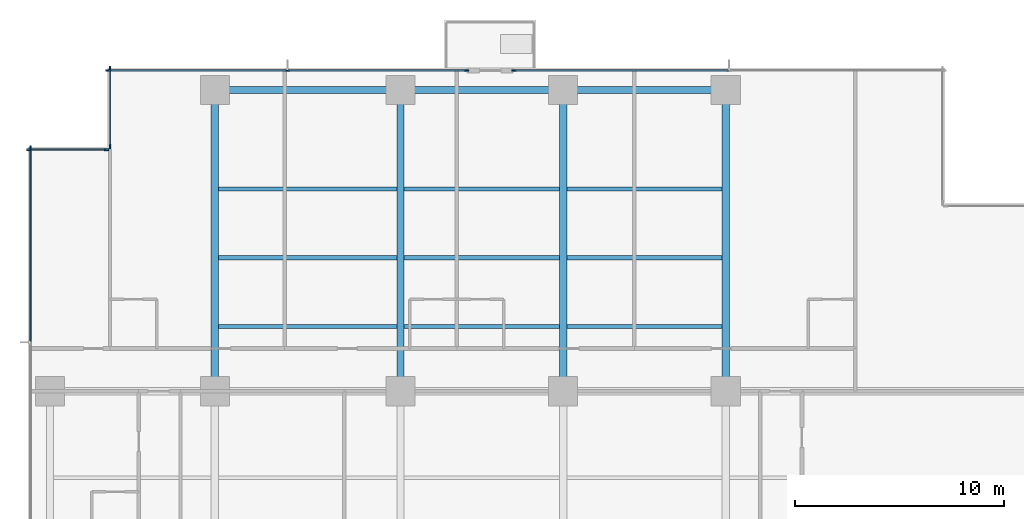
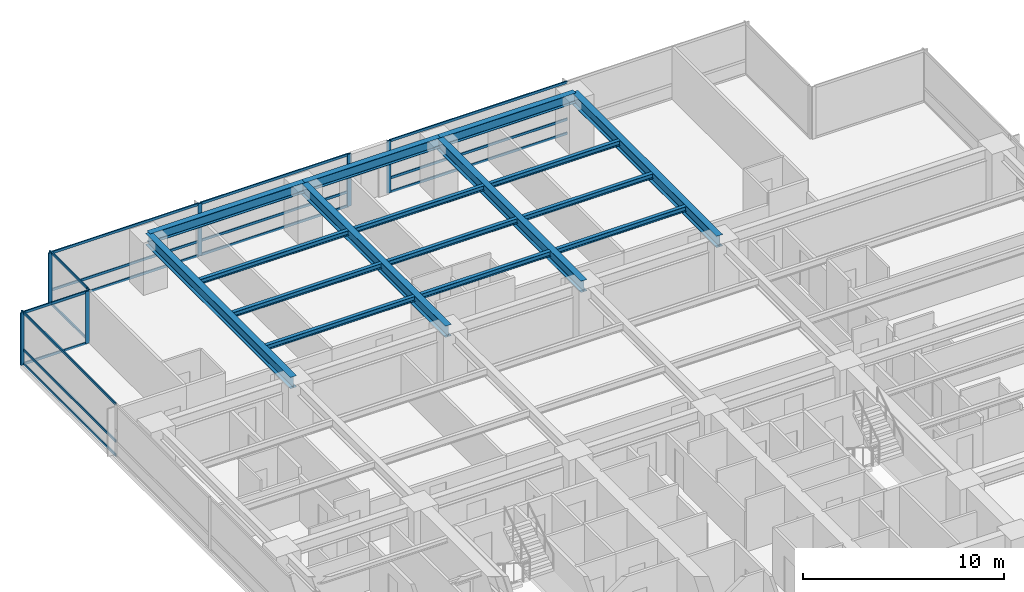
# One storey, part 4 of 16: 25 members, 16 beams, 5 elements without a shape of their own.
"""IFC4 building model written with IfcOpenShell, lengths in metres."""

from ifc_helpers import new_model, si_unit, direction, frame, origin, origin_2d, place, context, subcontext, project, spatial, rectangle, i_section, extrude, material, layer, layer_set, material_profile, profile_set, type_object, element, aggregate, save


model = new_model("IFC4")

# Units and contexts
model_context = context("Model", 3, precision=1e-05, world=origin(), true_north=direction((0.0, 1.0)))
body_context = subcontext(model_context, "Body", "Model", "MODEL_VIEW")
ifc_project = project(units=[si_unit("LENGTHUNIT", "METRE"), si_unit("AREAUNIT", "SQUARE_METRE"), si_unit("VOLUMEUNIT", "CUBIC_METRE"), si_unit("PLANEANGLEUNIT", "RADIAN"), si_unit("MASSUNIT", "GRAM", prefix="KILO")], contexts=[model_context])

# Site, building, storey
site_placement = place(None, origin())
site = spatial("IfcSite", under=ifc_project, at=site_placement, CompositionType="ELEMENT")
building_placement = place(site_placement, origin())
building = spatial("IfcBuilding", under=site, at=building_placement, Name="Qalmaran Belvedere Hotel", CompositionType="ELEMENT")
storey_placement = place(building_placement, frame((0.0, 0.0, 71.89990234375)))
storey = spatial("IfcBuildingStorey", under=building, at=storey_placement, Name="L18", CompositionType="ELEMENT", Elevation=71.89990234375)

# Beams
ifc_material_1 = material(Name="Steel S355JR", Category="steel")
ifc_material_profile_1 = material_profile(ifc_material_1, i_section(OverallWidth=0.202880859375, OverallDepth=0.302978515625, WebThickness=0.007568359375, FlangeThickness=0.01318359375, FilletRadius=0.012939453125, at=origin_2d()), Name="W310X60")
ifc_profile_set_1 = profile_set([ifc_material_profile_1], Name="Steel S355JR")
beam_type_1 = type_object("IfcBeamType", Name="BM-JST-W310X60", PredefinedType="JOIST", material=ifc_profile_set_1)
beam_1_placement = place(storey_placement, frame((20.4755859375, 36.10009765625, 3.028564453125), z_axis=(1.0, 0.0, 0.0), x_axis=(0.0, 1.0, 0.0)))
element("IfcBeam", 1, at=beam_1_placement, inside=storey, type_object=beam_type_1, Name="L18 North Floor Joist 042", PredefinedType="JOIST", context=body_context, shape_type="SweptSolid", body=[
    extrude(i_section(OverallWidth=0.202880859375, OverallDepth=0.302978515625, WebThickness=0.007568359375, FlangeThickness=0.01318359375, FilletRadius=0.012939453125, at=origin_2d()), origin(), (0.0, 0.0, 1.0), 8.548828125),
])
for number, where, z_axis, x_axis, name in (
    (2, (29.37548828125, 36.10009765625, 3.028564453125), (1.0, 0.0, 0.0), (0.0, 1.0, 0.0), "L18 North Floor Joist 043"),
    (3, (37.175537109375, 36.10009765625, 3.028564453125), (1.0, 0.0, 0.0), (0.0, 1.0, 0.0), "L18 North Floor Joist 044"),
):
    element("IfcBeam", number, at=place(storey_placement, frame(where, z_axis=z_axis, x_axis=x_axis)), inside=storey, type_object=beam_type_1, Name=name, PredefinedType="JOIST", context=body_context, shape_type="SweptSolid", body=[
        extrude(i_section(OverallWidth=0.202880859375, OverallDepth=0.302978515625, WebThickness=0.007568359375, FlangeThickness=0.01318359375, FilletRadius=0.012939453125, at=origin_2d()), origin(), (0.0, 0.0, 1.0), 7.448974609375),
    ])
beam_2_placement = place(storey_placement, frame((20.4755859375, 39.39990234375, 3.028564453125), z_axis=(1.0, 0.0, 0.0), x_axis=(0.0, 1.0, 0.0)))
element("IfcBeam", 4, at=beam_2_placement, inside=storey, type_object=beam_type_1, Name="L18 North Floor Joist 045", PredefinedType="JOIST", context=body_context, shape_type="SweptSolid", body=[
    extrude(i_section(OverallWidth=0.202880859375, OverallDepth=0.302978515625, WebThickness=0.007568359375, FlangeThickness=0.01318359375, FilletRadius=0.012939453125, at=origin_2d()), origin(), (0.0, 0.0, 1.0), 8.548828125),
])
for number, where, z_axis, x_axis, name in (
    (5, (29.37548828125, 39.39990234375, 3.028564453125), (1.0, 0.0, 0.0), (0.0, 1.0, 0.0), "L18 North Floor Joist 046"),
    (6, (37.175537109375, 39.39990234375, 3.028564453125), (1.0, 0.0, 0.0), (0.0, 1.0, 0.0), "L18 North Floor Joist 047"),
):
    element("IfcBeam", number, at=place(storey_placement, frame(where, z_axis=z_axis, x_axis=x_axis)), inside=storey, type_object=beam_type_1, Name=name, PredefinedType="JOIST", context=body_context, shape_type="SweptSolid", body=[
        extrude(i_section(OverallWidth=0.202880859375, OverallDepth=0.302978515625, WebThickness=0.007568359375, FlangeThickness=0.01318359375, FilletRadius=0.012939453125, at=origin_2d()), origin(), (0.0, 0.0, 1.0), 7.448974609375),
    ])
beam_3_placement = place(storey_placement, frame((20.4755859375, 42.699951171875, 3.028564453125), z_axis=(1.0, 0.0, 0.0), x_axis=(0.0, 1.0, 0.0)))
element("IfcBeam", 7, at=beam_3_placement, inside=storey, type_object=beam_type_1, Name="L18 North Floor Joist 048", PredefinedType="JOIST", context=body_context, shape_type="SweptSolid", body=[
    extrude(i_section(OverallWidth=0.202880859375, OverallDepth=0.302978515625, WebThickness=0.007568359375, FlangeThickness=0.01318359375, FilletRadius=0.012939453125, at=origin_2d()), origin(), (0.0, 0.0, 1.0), 8.548828125),
])
for number, where, z_axis, x_axis, name in (
    (8, (29.37548828125, 42.699951171875, 3.028564453125), (1.0, 0.0, 0.0), (0.0, 1.0, 0.0), "L18 North Floor Joist 049"),
    (9, (37.175537109375, 42.699951171875, 3.028564453125), (1.0, 0.0, 0.0), (0.0, 1.0, 0.0), "L18 North Floor Joist 050"),
):
    element("IfcBeam", number, at=place(storey_placement, frame(where, z_axis=z_axis, x_axis=x_axis)), inside=storey, type_object=beam_type_1, Name=name, PredefinedType="JOIST", context=body_context, shape_type="SweptSolid", body=[
        extrude(i_section(OverallWidth=0.202880859375, OverallDepth=0.302978515625, WebThickness=0.007568359375, FlangeThickness=0.01318359375, FilletRadius=0.012939453125, at=origin_2d()), origin(), (0.0, 0.0, 1.0), 7.448974609375),
    ])
ifc_material_profile_2 = material_profile(ifc_material_1, i_section(OverallWidth=0.326904296875, OverallDepth=0.6220703125, WebThickness=0.015380859375, FlangeThickness=0.0244140625, FilletRadius=0.02001953125, at=origin_2d()), Name="W610X195")
ifc_profile_set_2 = profile_set([ifc_material_profile_2], Name="Steel S355JR")
beam_type_2 = type_object("IfcBeamType", Name="BM-SP1-W610X195", PredefinedType="SPANDREL", material=ifc_profile_set_2)
beam_4_placement = place(storey_placement, frame((20.300048828125, 47.449951171875, 2.869140625), z_axis=(1.0, 0.0, 0.0), x_axis=(0.0, 1.0, 0.0)))
element("IfcBeam", 10, at=beam_4_placement, inside=storey, type_object=beam_type_2, Name="L18 Perimeter Spandrel 05", PredefinedType="SPANDREL", context=body_context, shape_type="SweptSolid", body=[
    extrude(i_section(OverallWidth=0.326904296875, OverallDepth=0.6220703125, WebThickness=0.015380859375, FlangeThickness=0.0244140625, FilletRadius=0.02001953125, at=origin_2d()), origin(), (0.0, 0.0, 1.0), 8.89990234375),
])
for number, where, z_axis, x_axis, name in (
    (11, (29.199951171875, 47.449951171875, 2.869140625), (1.0, 0.0, 0.0), (0.0, 1.0, 0.0), "L18 Perimeter Spandrel 06"),
    (12, (37.0, 47.449951171875, 2.869140625), (1.0, 0.0, 0.0), (0.0, 1.0, 0.0), "L18 Perimeter Spandrel 07"),
):
    element("IfcBeam", number, at=place(storey_placement, frame(where, z_axis=z_axis, x_axis=x_axis)), inside=storey, type_object=beam_type_2, Name=name, PredefinedType="SPANDREL", context=body_context, shape_type="SweptSolid", body=[
        extrude(i_section(OverallWidth=0.326904296875, OverallDepth=0.6220703125, WebThickness=0.015380859375, FlangeThickness=0.0244140625, FilletRadius=0.02001953125, at=origin_2d()), origin(), (0.0, 0.0, 1.0), 7.800048828125),
    ])
ifc_material_profile_3 = material_profile(ifc_material_1, i_section(OverallWidth=0.35498046875, OverallDepth=0.695068359375, WebThickness=0.015380859375, FlangeThickness=0.02490234375, FilletRadius=0.02197265625, at=origin_2d()), Name="W690X217")
ifc_profile_set_3 = profile_set([ifc_material_profile_3], Name="Steel S355JR")
beam_type_3 = type_object("IfcBeamType", Name="BM-Z1-W690X217", PredefinedType="USERDEFINED", material=ifc_profile_set_3)
for number, where, z_axis, x_axis, name in (
    (13, (20.300048828125, 33.0, 2.83251953125), (0.0, 1.0, 0.0), (-1.0, 0.0, 0.0), "L18 North Bay Girder 15"),
    (14, (29.199951171875, 33.0, 2.83251953125), (0.0, 1.0, 0.0), (-1.0, 0.0, 0.0), "L18 North Bay Girder 17"),
    (15, (37.0, 33.0, 2.83251953125), (0.0, 1.0, 0.0), (-1.0, 0.0, 0.0), "L18 North Bay Girder 19"),
    (16, (44.800048828125, 33.0, 2.83251953125), (0.0, 1.0, 0.0), (-1.0, 0.0, 0.0), "L18 North Bay Girder 21"),
):
    element("IfcBeam", number, at=place(storey_placement, frame(where, z_axis=z_axis, x_axis=x_axis)), inside=storey, type_object=beam_type_3, Name=name, ObjectType="GIRDER", PredefinedType="USERDEFINED", context=body_context, shape_type="SweptSolid", body=[
        extrude(i_section(OverallWidth=0.35498046875, OverallDepth=0.695068359375, WebThickness=0.015380859375, FlangeThickness=0.02490234375, FilletRadius=0.02197265625, at=origin_2d()), origin(), (0.0, 0.0, 1.0), 14.449951171875),
    ])

# Curtain wall, members
ifc_material_2 = material(Name="Anodised Bronze Aluminium", Category="aluminium")
ifc_layer = layer(ifc_material_2, 0.2099609375, Name="Anodised Bronze Aluminium")
ifc_layer_set = layer_set([ifc_layer], Name="Anodised Bronze Aluminium")
curtain_wall_type = type_object("IfcCurtainWallType", Name="CW2-TOWER-LOWER", PredefinedType="NOTDEFINED", material=ifc_layer_set)
curtain_wall_1_placement = place(storey_placement, origin())
curtain_wall_1 = element("IfcCurtainWall", 17, at=curtain_wall_1_placement, inside=storey, type_object=curtain_wall_type, Name="L18 Curtain Wall CW2", PredefinedType="NOTDEFINED")
ifc_material_profile_4 = material_profile(ifc_material_2, rectangle(XDim=0.074951171875, YDim=0.219970703125, at=origin_2d()), Name="CWM75X220")
ifc_profile_set_4 = profile_set([ifc_material_profile_4], Name="Anodised Bronze Aluminium")
member_type_1 = type_object("IfcMemberType", Name="CWM-75X220", PredefinedType="MULLION", material=ifc_profile_set_4)
member_1_placement = place(storey_placement, frame((32.362548828125, 48.3798828125, 0.0), z_axis=(0.0, 0.0, 1.0), x_axis=(0.0, -1.0, 0.0)))
member_1 = element("IfcMember", 18, at=member_1_placement, type_object=member_type_1, Name="CW2 mullion 1", PredefinedType="MULLION", context=body_context, shape_type="SweptSolid", body=[
    extrude(rectangle(XDim=0.074951171875, YDim=0.219970703125, at=origin_2d()), origin(), (0.0, 0.0, 1.0), 3.18017578125),
])
member_2_placement = place(storey_placement, frame((23.77490234375, 48.3798828125, 0.0), z_axis=(0.0, 0.0, 1.0), x_axis=(0.0, -1.0, 0.0)))
member_2 = element("IfcMember", 19, at=member_2_placement, type_object=member_type_1, Name="CW2 mullion 2", PredefinedType="MULLION", context=body_context, shape_type="SweptSolid", body=[
    extrude(rectangle(XDim=0.074951171875, YDim=0.219970703125, at=origin_2d()), origin(), (0.0, 0.0, 1.0), 3.18017578125),
])
member_3_placement = place(storey_placement, frame((15.1875, 48.3798828125, 0.0), z_axis=(0.0, 0.0, 1.0), x_axis=(0.0, -1.0, 0.0)))
member_3 = element("IfcMember", 20, at=member_3_placement, type_object=member_type_1, Name="CW2 mullion 3", PredefinedType="MULLION", context=body_context, shape_type="SweptSolid", body=[
    extrude(rectangle(XDim=0.074951171875, YDim=0.219970703125, at=origin_2d()), origin(), (0.0, 0.0, 1.0), 3.18017578125),
])

# Curtain wall, member
curtain_wall_2_placement = place(storey_placement, origin())
curtain_wall_2 = element("IfcCurtainWall", 21, at=curtain_wall_2_placement, inside=storey, type_object=curtain_wall_type, Name="L18 Curtain Wall CW2", PredefinedType="NOTDEFINED")
member_4_placement = place(storey_placement, frame((34.637451171875, 48.3798828125, 0.0), z_axis=(0.0, 0.0, 1.0), x_axis=(0.0, -1.0, 0.0)))
member_4 = element("IfcMember", 22, at=member_4_placement, type_object=member_type_1, Name="CW2 mullion 3", PredefinedType="MULLION", context=body_context, shape_type="SweptSolid", body=[
    extrude(rectangle(XDim=0.074951171875, YDim=0.219970703125, at=origin_2d()), origin(), (0.0, 0.0, 1.0), 3.18017578125),
])

# Curtain wall, members
curtain_wall_3_placement = place(storey_placement, origin())
curtain_wall_3 = element("IfcCurtainWall", 23, at=curtain_wall_3_placement, inside=storey, type_object=curtain_wall_type, Name="L18 Curtain Wall CW2", PredefinedType="NOTDEFINED")
member_5_placement = place(storey_placement, frame((15.27001953125, 48.46240234375, 0.0), z_axis=(0.0, 0.0, 1.0), x_axis=(1.0, 0.0, 0.0)))
member_5 = element("IfcMember", 24, at=member_5_placement, type_object=member_type_1, Name="CW2 mullion 1", PredefinedType="MULLION", context=body_context, shape_type="SweptSolid", body=[
    extrude(rectangle(XDim=0.074951171875, YDim=0.219970703125, at=origin_2d()), origin(), (0.0, 0.0, 1.0), 3.18017578125),
])
member_6_placement = place(storey_placement, frame((15.27001953125, 44.737548828125, 0.0), z_axis=(0.0, 0.0, 1.0), x_axis=(1.0, 0.0, 0.0)))
member_6 = element("IfcMember", 25, at=member_6_placement, type_object=member_type_1, Name="CW2 mullion 2", PredefinedType="MULLION", context=body_context, shape_type="SweptSolid", body=[
    extrude(rectangle(XDim=0.074951171875, YDim=0.219970703125, at=origin_2d()), origin(), (0.0, 0.0, 1.0), 3.18017578125),
])

curtain_wall_4_placement = place(storey_placement, origin())
curtain_wall_4 = element("IfcCurtainWall", 26, at=curtain_wall_4_placement, inside=storey, type_object=curtain_wall_type, Name="L18 Curtain Wall CW2", PredefinedType="NOTDEFINED")
member_7_placement = place(storey_placement, frame((15.112548828125, 44.580078125, 0.0), z_axis=(0.0, 0.0, 1.0), x_axis=(0.0, -1.0, 0.0)))
member_7 = element("IfcMember", 27, at=member_7_placement, type_object=member_type_1, Name="CW2 mullion 1", PredefinedType="MULLION", context=body_context, shape_type="SweptSolid", body=[
    extrude(rectangle(XDim=0.074951171875, YDim=0.219970703125, at=origin_2d()), origin(), (0.0, 0.0, 1.0), 3.18017578125),
])
member_8_placement = place(storey_placement, frame((11.387451171875, 44.580078125, 0.0), z_axis=(0.0, 0.0, 1.0), x_axis=(0.0, -1.0, 0.0)))
member_8 = element("IfcMember", 28, at=member_8_placement, type_object=member_type_1, Name="CW2 mullion 2", PredefinedType="MULLION", context=body_context, shape_type="SweptSolid", body=[
    extrude(rectangle(XDim=0.074951171875, YDim=0.219970703125, at=origin_2d()), origin(), (0.0, 0.0, 1.0), 3.18017578125),
])

# Curtain wall, member
curtain_wall_5_placement = place(storey_placement, origin())
curtain_wall_5 = element("IfcCurtainWall", 29, at=curtain_wall_5_placement, inside=storey, type_object=curtain_wall_type, Name="L18 Curtain Wall CW2", PredefinedType="NOTDEFINED")
member_9_placement = place(storey_placement, frame((11.469970703125, 44.66259765625, 0.0), z_axis=(0.0, 0.0, 1.0), x_axis=(1.0, 0.0, 0.0)))
member_9 = element("IfcMember", 30, at=member_9_placement, type_object=member_type_1, Name="CW2 mullion 1", PredefinedType="MULLION", context=body_context, shape_type="SweptSolid", body=[
    extrude(rectangle(XDim=0.074951171875, YDim=0.219970703125, at=origin_2d()), origin(), (0.0, 0.0, 1.0), 3.18017578125),
])

# Member
ifc_material_profile_5 = material_profile(ifc_material_2, rectangle(XDim=0.070068359375, YDim=0.14990234375, at=origin_2d()), Name="CWT70X150")
ifc_profile_set_5 = profile_set([ifc_material_profile_5], Name="Anodised Bronze Aluminium")
member_type_2 = type_object("IfcMemberType", Name="CWT-70X150", PredefinedType="USERDEFINED", material=ifc_profile_set_5)
member_10_placement = place(storey_placement, frame((32.324951171875, 48.3798828125, 0.03515625), z_axis=(-1.0, 0.0, 0.0), x_axis=(0.0, -1.0, 0.0)))
member_10 = element("IfcMember", 31, at=member_10_placement, type_object=member_type_2, Name="CW2 transom 1.1", ObjectType="TRANSOM", PredefinedType="USERDEFINED", context=body_context, shape_type="SweptSolid", body=[
    extrude(rectangle(XDim=0.070068359375, YDim=0.14990234375, at=origin_2d()), origin(), (0.0, 0.0, 1.0), 8.512451171875),
])

member_11_placement = place(storey_placement, frame((32.324951171875, 48.3798828125, 0.890380859375), z_axis=(-1.0, 0.0, 0.0), x_axis=(0.0, -1.0, 0.0)))
member_11 = element("IfcMember", 32, at=member_11_placement, type_object=member_type_2, Name="CW2 transom 1.2", ObjectType="TRANSOM", PredefinedType="USERDEFINED", context=body_context, shape_type="SweptSolid", body=[
    extrude(rectangle(XDim=0.070068359375, YDim=0.14990234375, at=origin_2d()), origin(), (0.0, 0.0, 1.0), 8.512451171875),
])

member_12_placement = place(storey_placement, frame((32.324951171875, 48.3798828125, 3.14501953125), z_axis=(-1.0, 0.0, 0.0), x_axis=(0.0, -1.0, 0.0)))
member_12 = element("IfcMember", 33, at=member_12_placement, type_object=member_type_2, Name="CW2 transom 1.3", ObjectType="TRANSOM", PredefinedType="USERDEFINED", context=body_context, shape_type="SweptSolid", body=[
    extrude(rectangle(XDim=0.070068359375, YDim=0.14990234375, at=origin_2d()), origin(), (0.0, 0.0, 1.0), 8.512451171875),
])

member_13_placement = place(storey_placement, frame((23.737548828125, 48.3798828125, 0.03515625), z_axis=(-1.0, 0.0, 0.0), x_axis=(0.0, -1.0, 0.0)))
member_13 = element("IfcMember", 34, at=member_13_placement, type_object=member_type_2, Name="CW2 transom 2.1", ObjectType="TRANSOM", PredefinedType="USERDEFINED", context=body_context, shape_type="SweptSolid", body=[
    extrude(rectangle(XDim=0.070068359375, YDim=0.14990234375, at=origin_2d()), origin(), (0.0, 0.0, 1.0), 8.512451171875),
])

member_14_placement = place(storey_placement, frame((23.737548828125, 48.3798828125, 0.890380859375), z_axis=(-1.0, 0.0, 0.0), x_axis=(0.0, -1.0, 0.0)))
member_14 = element("IfcMember", 35, at=member_14_placement, type_object=member_type_2, Name="CW2 transom 2.2", ObjectType="TRANSOM", PredefinedType="USERDEFINED", context=body_context, shape_type="SweptSolid", body=[
    extrude(rectangle(XDim=0.070068359375, YDim=0.14990234375, at=origin_2d()), origin(), (0.0, 0.0, 1.0), 8.512451171875),
])

member_15_placement = place(storey_placement, frame((23.737548828125, 48.3798828125, 3.14501953125), z_axis=(-1.0, 0.0, 0.0), x_axis=(0.0, -1.0, 0.0)))
member_15 = element("IfcMember", 36, at=member_15_placement, type_object=member_type_2, Name="CW2 transom 2.3", ObjectType="TRANSOM", PredefinedType="USERDEFINED", context=body_context, shape_type="SweptSolid", body=[
    extrude(rectangle(XDim=0.070068359375, YDim=0.14990234375, at=origin_2d()), origin(), (0.0, 0.0, 1.0), 8.512451171875),
])

aggregate(curtain_wall_1, [member_1, member_2, member_3, member_10, member_11, member_12, member_13, member_14, member_15])

member_16_placement = place(storey_placement, frame((44.91259765625, 48.3798828125, 0.03515625), z_axis=(-1.0, 0.0, 0.0), x_axis=(0.0, -1.0, 0.0)))
member_16 = element("IfcMember", 37, at=member_16_placement, type_object=member_type_2, Name="CW2 transom 2.1", ObjectType="TRANSOM", PredefinedType="USERDEFINED", context=body_context, shape_type="SweptSolid", body=[
    extrude(rectangle(XDim=0.070068359375, YDim=0.14990234375, at=origin_2d()), origin(), (0.0, 0.0, 1.0), 10.237548828125),
])

member_17_placement = place(storey_placement, frame((44.91259765625, 48.3798828125, 0.890380859375), z_axis=(-1.0, 0.0, 0.0), x_axis=(0.0, -1.0, 0.0)))
member_17 = element("IfcMember", 38, at=member_17_placement, type_object=member_type_2, Name="CW2 transom 2.2", ObjectType="TRANSOM", PredefinedType="USERDEFINED", context=body_context, shape_type="SweptSolid", body=[
    extrude(rectangle(XDim=0.070068359375, YDim=0.14990234375, at=origin_2d()), origin(), (0.0, 0.0, 1.0), 10.237548828125),
])

member_18_placement = place(storey_placement, frame((44.91259765625, 48.3798828125, 3.14501953125), z_axis=(-1.0, 0.0, 0.0), x_axis=(0.0, -1.0, 0.0)))
member_18 = element("IfcMember", 39, at=member_18_placement, type_object=member_type_2, Name="CW2 transom 2.3", ObjectType="TRANSOM", PredefinedType="USERDEFINED", context=body_context, shape_type="SweptSolid", body=[
    extrude(rectangle(XDim=0.070068359375, YDim=0.14990234375, at=origin_2d()), origin(), (0.0, 0.0, 1.0), 10.237548828125),
])

aggregate(curtain_wall_2, [member_4, member_16, member_17, member_18])

member_19_placement = place(storey_placement, frame((15.27001953125, 48.425048828125, 0.03515625), z_axis=(0.0, -1.0, 0.0), x_axis=(1.0, 0.0, 0.0)))
member_19 = element("IfcMember", 40, at=member_19_placement, type_object=member_type_2, Name="CW2 transom 1.1", ObjectType="TRANSOM", PredefinedType="USERDEFINED", context=body_context, shape_type="SweptSolid", body=[
    extrude(rectangle(XDim=0.070068359375, YDim=0.14990234375, at=origin_2d()), origin(), (0.0, 0.0, 1.0), 3.650146484375),
])

member_20_placement = place(storey_placement, frame((15.27001953125, 48.425048828125, 3.14501953125), z_axis=(0.0, -1.0, 0.0), x_axis=(1.0, 0.0, 0.0)))
member_20 = element("IfcMember", 41, at=member_20_placement, type_object=member_type_2, Name="CW2 transom 1.2", ObjectType="TRANSOM", PredefinedType="USERDEFINED", context=body_context, shape_type="SweptSolid", body=[
    extrude(rectangle(XDim=0.070068359375, YDim=0.14990234375, at=origin_2d()), origin(), (0.0, 0.0, 1.0), 3.650146484375),
])

aggregate(curtain_wall_3, [member_5, member_6, member_19, member_20])

member_21_placement = place(storey_placement, frame((15.074951171875, 44.580078125, 0.03515625), z_axis=(-1.0, 0.0, 0.0), x_axis=(0.0, -1.0, 0.0)))
member_21 = element("IfcMember", 42, at=member_21_placement, type_object=member_type_2, Name="CW2 transom 1.1", ObjectType="TRANSOM", PredefinedType="USERDEFINED", context=body_context, shape_type="SweptSolid", body=[
    extrude(rectangle(XDim=0.070068359375, YDim=0.14990234375, at=origin_2d()), origin(), (0.0, 0.0, 1.0), 3.64990234375),
])

member_22_placement = place(storey_placement, frame((15.074951171875, 44.580078125, 3.14501953125), z_axis=(-1.0, 0.0, 0.0), x_axis=(0.0, -1.0, 0.0)))
member_22 = element("IfcMember", 43, at=member_22_placement, type_object=member_type_2, Name="CW2 transom 1.2", ObjectType="TRANSOM", PredefinedType="USERDEFINED", context=body_context, shape_type="SweptSolid", body=[
    extrude(rectangle(XDim=0.070068359375, YDim=0.14990234375, at=origin_2d()), origin(), (0.0, 0.0, 1.0), 3.64990234375),
])

aggregate(curtain_wall_4, [member_7, member_8, member_21, member_22])

member_23_placement = place(storey_placement, frame((11.469970703125, 44.625, 0.03515625), z_axis=(0.0, -1.0, 0.0), x_axis=(1.0, 0.0, 0.0)))
member_23 = element("IfcMember", 44, at=member_23_placement, type_object=member_type_2, Name="CW2 transom 1.1", ObjectType="TRANSOM", PredefinedType="USERDEFINED", context=body_context, shape_type="SweptSolid", body=[
    extrude(rectangle(XDim=0.070068359375, YDim=0.14990234375, at=origin_2d()), origin(), (0.0, 0.0, 1.0), 9.237548828125),
])

member_24_placement = place(storey_placement, frame((11.469970703125, 44.625, 0.890380859375), z_axis=(0.0, -1.0, 0.0), x_axis=(1.0, 0.0, 0.0)))
member_24 = element("IfcMember", 45, at=member_24_placement, type_object=member_type_2, Name="CW2 transom 1.2", ObjectType="TRANSOM", PredefinedType="USERDEFINED", context=body_context, shape_type="SweptSolid", body=[
    extrude(rectangle(XDim=0.070068359375, YDim=0.14990234375, at=origin_2d()), origin(), (0.0, 0.0, 1.0), 9.237548828125),
])

member_25_placement = place(storey_placement, frame((11.469970703125, 44.625, 3.14501953125), z_axis=(0.0, -1.0, 0.0), x_axis=(1.0, 0.0, 0.0)))
member_25 = element("IfcMember", 46, at=member_25_placement, type_object=member_type_2, Name="CW2 transom 1.3", ObjectType="TRANSOM", PredefinedType="USERDEFINED", context=body_context, shape_type="SweptSolid", body=[
    extrude(rectangle(XDim=0.070068359375, YDim=0.14990234375, at=origin_2d()), origin(), (0.0, 0.0, 1.0), 9.237548828125),
])

aggregate(curtain_wall_5, [member_9, member_23, member_24, member_25])

save(model, "model.ifc")
